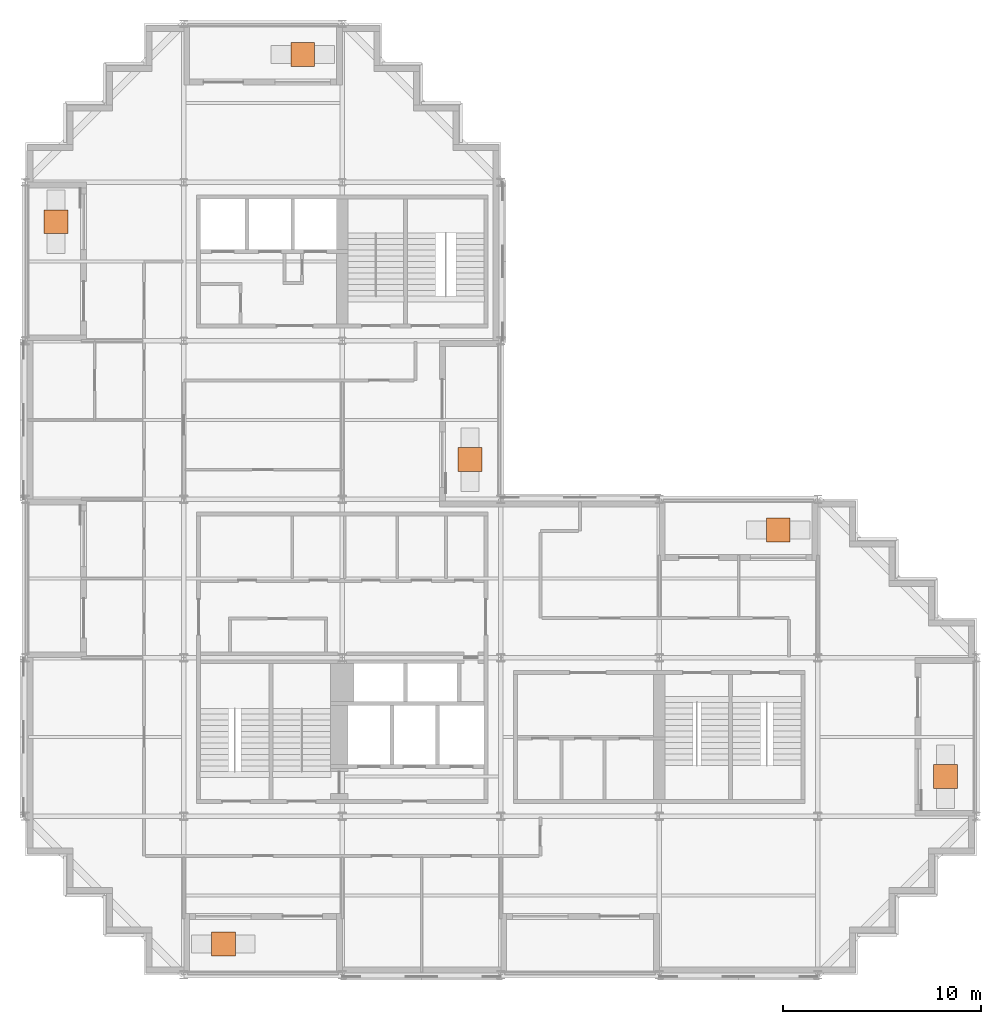
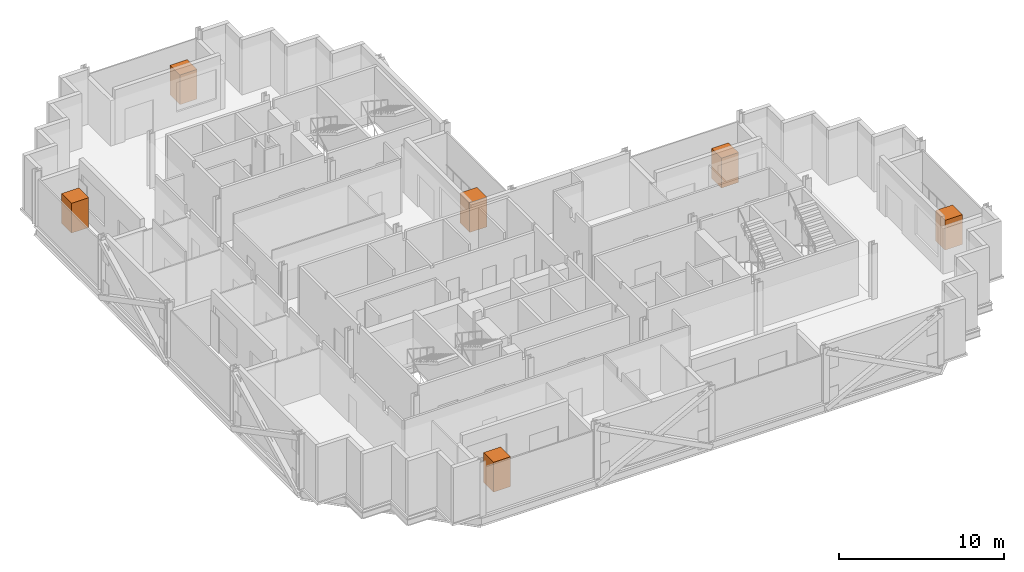
# One storey, part 12 of 12: 6 geographic elements.
"""IFC4 building model written with IfcOpenShell, lengths in metres."""

import ifcopenshell
import ifcopenshell.guid

model = None  # the IFC model being written
_history = None  # IfcOwnerHistory: only IFC2X3 demands one
_inside = {}  # id of a spatial element -> (the spatial element, [elements in it])
_under = {}  # id of a project, library or spatial element -> (it, [spatial elements below it])
_declared = {}  # id of a project -> (the project, [libraries it declares])
_typed = {}  # id of a type object -> (the type object, [elements of that type])
_made_of = {}  # id of a material, layer set ... -> (it, [elements and type objects made of it])


def new_model(schema):
    """Start an empty IFC model of exactly this schema.

    Asked for "IFC4X3", IfcOpenShell would pick the latest addendum, in which some entities
    have other attributes; the version numbers below select the first issue.
    IFC2X3 requires an IfcOwnerHistory on every rooted entity: one is made here for all.
    """
    global model, _history
    if schema == "IFC4X3":
        model = ifcopenshell.file(schema_version=(4, 3, 0, 0))
    else:
        model = ifcopenshell.file(schema=schema)
    _inside.clear()
    _under.clear()
    _declared.clear()
    _typed.clear()
    _made_of.clear()
    _history = None
    if model.schema == "IFC2X3":
        org = make("IfcOrganization", Name="unknown")
        user = make(
            "IfcPersonAndOrganization",
            ThePerson=make("IfcPerson", FamilyName="unknown"),
            TheOrganization=org,
        )
        app = make(
            "IfcApplication",
            ApplicationDeveloper=org,
            Version="unknown",
            ApplicationFullName="unknown",
            ApplicationIdentifier="unknown",
        )
        _history = make(
            "IfcOwnerHistory",
            OwningUser=user,
            OwningApplication=app,
            ChangeAction="ADDED",
            CreationDate=0,
        )
    return model


def make(cls, **values):
    """One entity of the class cls with the attributes given. An attribute that is None is left unset."""
    return model.create_entity(
        cls, **{name: value for name, value in values.items() if value is not None}
    )


def rooted(cls, **values):
    """An entity with a GlobalId (a new one), such as an element, a storey or a relation."""
    return make(cls, GlobalId=ifcopenshell.guid.new(), OwnerHistory=_history, **values)


def si_unit(unit_type, name, prefix=None):
    """IfcSIUnit, for example si_unit("LENGTHUNIT", "METRE", prefix="MILLI")."""
    return make("IfcSIUnit", UnitType=unit_type, Prefix=prefix, Name=name)


def assignment(units):
    """IfcUnitAssignment: the units of a project."""
    return None if units is None else make("IfcUnitAssignment", Units=units)


def point(xyz):
    """IfcCartesianPoint."""
    return None if xyz is None else make("IfcCartesianPoint", Coordinates=xyz)


def direction(xyz):
    """IfcDirection."""
    return None if xyz is None else make("IfcDirection", DirectionRatios=xyz)


def frame(location, z_axis=None, x_axis=None):
    """IfcAxis2Placement3D, a coordinate frame: its origin and axes. An axis left out is left unset."""
    return make(
        "IfcAxis2Placement3D",
        Location=point(location),
        Axis=direction(z_axis),
        RefDirection=direction(x_axis),
    )


def frame_2d(location, x_axis=None):
    """IfcAxis2Placement2D, a coordinate frame in the plane: its origin and x axis."""
    return make(
        "IfcAxis2Placement2D", Location=point(location), RefDirection=direction(x_axis)
    )


def origin():
    """The frame at (0, 0, 0) with its axes left unset."""
    return frame((0.0, 0.0, 0.0))


def origin_2d():
    """The frame at (0, 0) in the plane with its x axis left unset."""
    return frame_2d((0.0, 0.0))


def place(relative_to, where):
    """IfcLocalPlacement: puts the frame where relative to a parent placement (None: the world)."""
    return make(
        "IfcLocalPlacement", PlacementRelTo=relative_to, RelativePlacement=where
    )


def context(
    kind, dimensions, precision=None, world=None, true_north=None, identifier=None
):
    """IfcGeometricRepresentationContext, for example the 3D "Model" context."""
    return make(
        "IfcGeometricRepresentationContext",
        ContextIdentifier=identifier,
        ContextType=kind,
        CoordinateSpaceDimension=dimensions,
        Precision=precision,
        WorldCoordinateSystem=world,
        TrueNorth=true_north,
    )


def subcontext(parent, identifier, kind, view, scale=None):
    """IfcGeometricRepresentationSubContext, for example "Body" below "Model"."""
    return make(
        "IfcGeometricRepresentationSubContext",
        ContextIdentifier=identifier,
        ContextType=kind,
        ParentContext=parent,
        TargetScale=scale,
        TargetView=view,
    )


def project(units=None, contexts=None):
    """IfcProject with its units and contexts."""
    return rooted(
        "IfcProject",
        Name="project",
        RepresentationContexts=contexts,
        UnitsInContext=assignment(units),
    )


def spatial(cls, under=None, at=None, **own):
    """A site, building, storey or space (cls), placed at a placement, below another one or the project."""
    s = rooted(cls, ObjectPlacement=at, **own)
    if under is not None:
        _under.setdefault(under.id(), (under, []))[1].append(s)
    return s


def profile(cls, at=None, kind="AREA", **sizes):
    """A parametric profile (cls). Its sizes go by their IFC names, for example OverallWidth=200.0."""
    return make(cls, ProfileType=kind, Position=at, **sizes)


def rectangle(**sizes):
    """IfcRectangleProfileDef."""
    return profile("IfcRectangleProfileDef", **sizes)


def extrude(swept, where, along, depth):
    """IfcExtrudedAreaSolid: the profile swept, set in the frame where, extruded along a direction by depth."""
    return make(
        "IfcExtrudedAreaSolid",
        SweptArea=swept,
        Position=where,
        ExtrudedDirection=direction(along),
        Depth=depth,
    )


def shape(context_of_items, identifier, shape_type, items):
    """IfcShapeRepresentation: the items that make up one representation, for example the "Body"."""
    return make(
        "IfcShapeRepresentation",
        ContextOfItems=context_of_items,
        RepresentationIdentifier=identifier,
        RepresentationType=shape_type,
        Items=items,
    )


def material(Name=None, Category=None):
    """IfcMaterial."""
    return make("IfcMaterial", Name=Name, Category=Category)


def made_of(thing, what):
    """Note that an element or type object is made of a material, layer set ...; save() writes the relation."""
    if what is not None:
        _made_of.setdefault(what.id(), (what, []))[1].append(thing)
    return thing


def type_object(cls, material=None, **own):
    """A type object (cls), such as IfcWallType, which elements share."""
    return made_of(rooted(cls, **own), material)


def element(
    cls,
    number,
    at=None,
    inside=None,
    cuts=None,
    type_object=None,
    material=None,
    context=None,
    identifier="Body",
    shape_type=None,
    held_by="IfcProductDefinitionShape",
    body=None,
    shapes=None,
    **own,
):
    """One element of the class cls, such as IfcWall. Its Tag is "e" and its number.

    at: its placement. inside: the storey or other place that contains it. cuts: it is an
    opening in that element (IfcRelVoidsElement). A single representation is given by context,
    identifier, shape_type and body (its items); several are given by shapes. held_by: the class
    of the entity that holds the representations. save() writes the other relations.
    """
    e = rooted(cls, Tag="e%d" % number, ObjectPlacement=at, **own)
    if body is not None:
        shapes = [shape(context, identifier, shape_type, body)]
    if shapes is not None:
        e.Representation = make(held_by, Representations=shapes)
    if inside is not None:
        _inside.setdefault(inside.id(), (inside, []))[1].append(e)
    if cuts is not None:
        rooted(
            "IfcRelVoidsElement", RelatingBuildingElement=cuts, RelatedOpeningElement=e
        )
    if type_object is not None:
        _typed.setdefault(type_object.id(), (type_object, []))[1].append(e)
    return made_of(e, material)


def aggregate(whole, parts):
    """IfcRelAggregates: a whole, such as a stair, and the parts it consists of."""
    return rooted("IfcRelAggregates", RelatingObject=whole, RelatedObjects=parts)


def save(model, path):
    """Write the relations noted so far, then the file.

    IfcRelAggregates (storeys below a building ...), IfcRelContainedInSpatialStructure (elements
    in a storey), IfcRelDefinesByType, IfcRelAssociatesMaterial and IfcRelDeclares: one each for
    every whole, place, type object, material and project.
    """
    for whole, parts in _under.values():
        aggregate(whole, parts)
    for where, things in _inside.values():
        rooted(
            "IfcRelContainedInSpatialStructure",
            RelatedElements=things,
            RelatingStructure=where,
        )
    for kind, things in _typed.values():
        rooted("IfcRelDefinesByType", RelatedObjects=things, RelatingType=kind)
    for what, things in _made_of.values():
        rooted("IfcRelAssociatesMaterial", RelatedObjects=things, RelatingMaterial=what)
    for by, libraries in _declared.values():
        rooted("IfcRelDeclares", RelatingContext=by, RelatedDefinitions=libraries)
    model.write(path)


model = new_model("IFC4")

# Units and contexts
model_context = context("Model", 3, precision=1e-05, world=origin(), true_north=direction((0.0, 1.0)))
body_context = subcontext(model_context, "Body", "Model", "MODEL_VIEW")
ifc_project = project(units=[si_unit("LENGTHUNIT", "METRE"), si_unit("AREAUNIT", "SQUARE_METRE"), si_unit("VOLUMEUNIT", "CUBIC_METRE"), si_unit("PLANEANGLEUNIT", "RADIAN"), si_unit("MASSUNIT", "GRAM", prefix="KILO")], contexts=[model_context])

# Site, building, storey
site_placement = place(None, origin())
site = spatial("IfcSite", under=ifc_project, at=site_placement, CompositionType="ELEMENT")
building_placement = place(site_placement, origin())
building = spatial("IfcBuilding", under=site, at=building_placement, Name="Immortelle Media Tower", CompositionType="ELEMENT")
storey_placement = place(building_placement, frame((0.0, 0.0, 153.60009765625)))
storey = spatial("IfcBuildingStorey", under=building, at=storey_placement, Name="L31", CompositionType="ELEMENT", Elevation=153.60009765625)

# Geographic elements
ifc_material = material(Name="Tree canopy foliage")
geographic_element_type = type_object("IfcGeographicElementType", Name="Tree", PredefinedType="USERDEFINED", material=ifc_material)
for number, where, z_axis, x_axis, name in (
    (1, (10.0, 1.550048828125, 0.60009765625), (0.0, 0.0, 1.0), (1.0, 0.0, 0.0), "Tree L31 S0"),
    (2, (46.449951171875, 10.0, 0.60009765625), (0.0, 0.0, 1.0), (1.0, 0.0, 0.0), "Tree L31 E0"),
    (3, (38.0, 22.449951171875, 0.60009765625), (0.0, 0.0, 1.0), (1.0, 0.0, 0.0), "Tree L31 N0"),
    (4, (22.449951171875, 26.0, 0.60009765625), (0.0, 0.0, 1.0), (1.0, 0.0, 0.0), "Tree L31 E0"),
    (5, (14.0, 46.449951171875, 0.60009765625), (0.0, 0.0, 1.0), (1.0, 0.0, 0.0), "Tree L31 N0"),
    (6, (1.550048828125, 38.0, 0.60009765625), (0.0, 0.0, 1.0), (1.0, 0.0, 0.0), "Tree L31 W0"),
):
    element("IfcGeographicElement", number, at=place(storey_placement, frame(where, z_axis=z_axis, x_axis=x_axis)), inside=storey, type_object=geographic_element_type, Name=name, ObjectType="Tree", PredefinedType="USERDEFINED", context=body_context, shape_type="SweptSolid", body=[
        extrude(rectangle(XDim=1.199951171875, YDim=1.199951171875, at=origin_2d()), origin(), (0.0, 0.0, 1.0), 2.199951171875),
    ])

save(model, "model.ifc")
